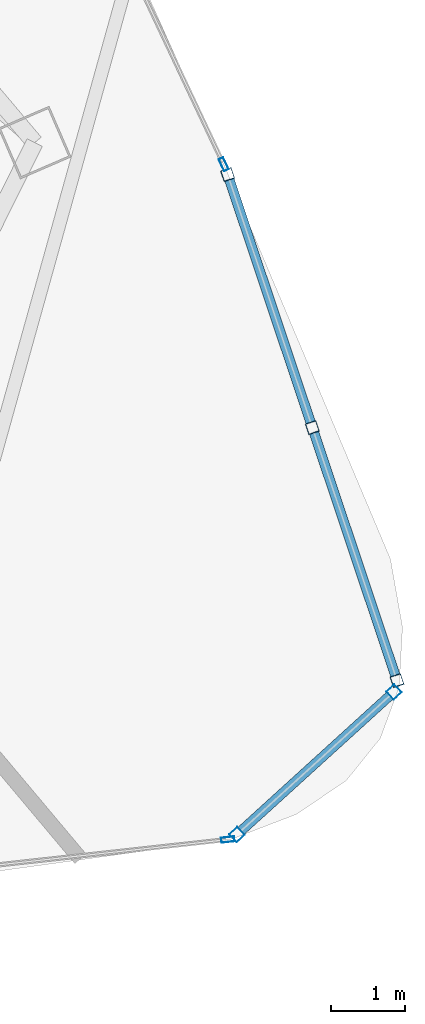
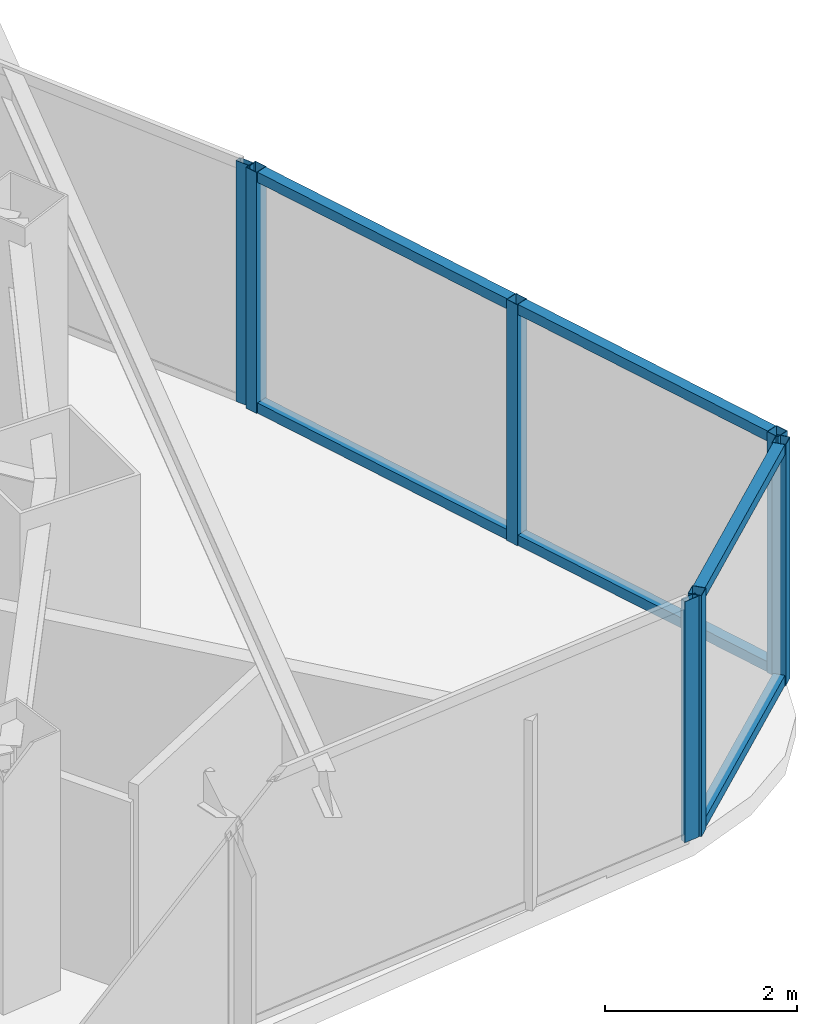
# One storey, part 15 of 31: 13 members, 4 elements without a shape of their own.
"""IFC4 building model written with IfcOpenShell, lengths in metres."""

from ifc_helpers import new_model, si_unit, direction, frame, origin, origin_2d, place, context, subcontext, project, spatial, hollow_rectangle, extrude, material, layer, layer_set, material_profile, profile_set, type_object, element, aggregate, save


model = new_model("IFC4")

# Units and contexts
model_context = context("Model", 3, precision=1e-05, world=origin(), true_north=direction((0.0, 1.0)))
body_context = subcontext(model_context, "Body", "Model", "MODEL_VIEW")
ifc_project = project(units=[si_unit("LENGTHUNIT", "METRE"), si_unit("AREAUNIT", "SQUARE_METRE"), si_unit("VOLUMEUNIT", "CUBIC_METRE"), si_unit("PLANEANGLEUNIT", "RADIAN"), si_unit("MASSUNIT", "GRAM", prefix="KILO")], contexts=[model_context])

# Site, building, storey
site_placement = place(None, origin())
site = spatial("IfcSite", under=ifc_project, at=site_placement, CompositionType="ELEMENT")
building_placement = place(site_placement, origin())
building = spatial("IfcBuilding", under=site, at=building_placement, Name="Orvanel Arch Residences", CompositionType="ELEMENT")
storey_placement = place(building_placement, frame((0.0, 0.0, 133.10009765625)))
storey = spatial("IfcBuildingStorey", under=building, at=storey_placement, Name="L37", CompositionType="ELEMENT", Elevation=133.10009765625)

# Curtain wall, members
ifc_material = material(Name="Bronze-anodised aluminium AA6063-T6", Category="aluminium")
ifc_layer_1 = layer(ifc_material, 0.18994140625)
ifc_layer_set_1 = layer_set([ifc_layer_1], Name="Bronze-anodised aluminium AA6063-T6")
curtain_wall_type_1 = type_object("IfcCurtainWallType", Name="CW5-CRN-SYS", PredefinedType="NOTDEFINED", material=ifc_layer_set_1)
curtain_wall_1_placement = place(storey_placement, origin())
curtain_wall_1 = element("IfcCurtainWall", 1, at=curtain_wall_1_placement, inside=storey, type_object=curtain_wall_type_1, Name="L37 CW5-CRN-SYS Unitised Curtain Wall", PredefinedType="NOTDEFINED")
ifc_material_profile_1 = material_profile(ifc_material, hollow_rectangle(XDim=0.14990234375, YDim=0.14990234375, WallThickness=0.0048828125, at=origin_2d()), Name="ALU150x150x5")
ifc_profile_set_1 = profile_set([ifc_material_profile_1], Name="Bronze-anodised aluminium AA6063-T6")
member_type_1 = type_object("IfcMemberType", Name="MUL-150x150", PredefinedType="MULLION", material=ifc_profile_set_1)
member_1_placement = place(storey_placement, frame((56.6494140625, 5.198486328125, 0.0), z_axis=(0.0, 0.0, 1.0), x_axis=(-0.672409480271, 0.740179363966, 0.0)))
member_1 = element("IfcMember", 2, at=member_1_placement, type_object=member_type_1, Name="CW-S5 mullion 1", PredefinedType="MULLION", context=body_context, shape_type="SweptSolid", body=[
    extrude(hollow_rectangle(XDim=0.14990234375, YDim=0.14990234375, WallThickness=0.0048828125, at=origin_2d()), origin(), (0.0, 0.0, 1.0), 3.059814453125),
])
member_2_placement = place(storey_placement, frame((58.777587890625, 7.131591796875, 0.0), z_axis=(0.0, 0.0, 1.0), x_axis=(-0.672409480271, 0.740179363966, 0.0)))
member_2 = element("IfcMember", 3, at=member_2_placement, type_object=member_type_1, Name="CW-S5 mullion 2", PredefinedType="MULLION", context=body_context, shape_type="SweptSolid", body=[
    extrude(hollow_rectangle(XDim=0.14990234375, YDim=0.14990234375, WallThickness=0.0048828125, at=origin_2d()), origin(), (0.0, 0.0, 1.0), 3.059814453125),
])

curtain_wall_2_placement = place(storey_placement, origin())
curtain_wall_2 = element("IfcCurtainWall", 4, at=curtain_wall_2_placement, inside=storey, type_object=curtain_wall_type_1, Name="L37 CW5-CRN-SYS Unitised Curtain Wall", PredefinedType="NOTDEFINED")
member_3_placement = place(storey_placement, frame((58.818115234375, 7.28515625, 0.0), z_axis=(0.0, 0.0, 1.0), x_axis=(-0.94830351155, -0.317364853099, 0.0)))
member_3 = element("IfcMember", 5, at=member_3_placement, type_object=member_type_1, Name="CW-S5 mullion 1", PredefinedType="MULLION", context=body_context, shape_type="SweptSolid", body=[
    extrude(hollow_rectangle(XDim=0.14990234375, YDim=0.14990234375, WallThickness=0.0048828125, at=origin_2d()), origin(), (0.0, 0.0, 1.0), 3.059814453125),
])
member_4_placement = place(storey_placement, frame((57.669921875, 10.716064453125, 0.0), z_axis=(0.0, 0.0, 1.0), x_axis=(-0.94830351155, -0.317364853099, 0.0)))
member_4 = element("IfcMember", 6, at=member_4_placement, type_object=member_type_1, Name="CW-S5 mullion 2", PredefinedType="MULLION", context=body_context, shape_type="SweptSolid", body=[
    extrude(hollow_rectangle(XDim=0.14990234375, YDim=0.14990234375, WallThickness=0.0048828125, at=origin_2d()), origin(), (0.0, 0.0, 1.0), 3.059814453125),
])
member_5_placement = place(storey_placement, frame((56.521728515625, 14.14697265625, 0.0), z_axis=(0.0, 0.0, 1.0), x_axis=(-0.94830351155, -0.317364853099, 0.0)))
member_5 = element("IfcMember", 7, at=member_5_placement, type_object=member_type_1, Name="CW-S5 mullion 3", PredefinedType="MULLION", context=body_context, shape_type="SweptSolid", body=[
    extrude(hollow_rectangle(XDim=0.14990234375, YDim=0.14990234375, WallThickness=0.0048828125, at=origin_2d()), origin(), (0.0, 0.0, 1.0), 3.059814453125),
])

# Curtain wall, member
ifc_layer_2 = layer(ifc_material, 0.179931640625)
ifc_layer_set_2 = layer_set([ifc_layer_2], Name="Bronze-anodised aluminium AA6063-T6")
curtain_wall_type_2 = type_object("IfcCurtainWallType", Name="CW3-MID-SYS", PredefinedType="NOTDEFINED", material=ifc_layer_set_2)
curtain_wall_3_placement = place(storey_placement, origin())
curtain_wall_3 = element("IfcCurtainWall", 8, at=curtain_wall_3_placement, inside=storey, type_object=curtain_wall_type_2, Name="L37 CW3-MID-SYS Unitised Curtain Wall", PredefinedType="NOTDEFINED")
ifc_material_profile_2 = material_profile(ifc_material, hollow_rectangle(XDim=0.070068359375, YDim=0.179931640625, WallThickness=0.00439453125, at=origin_2d()), Name="ALU180x70x4.5")
ifc_profile_set_2 = profile_set([ifc_material_profile_2], Name="Bronze-anodised aluminium AA6063-T6")
member_type_2 = type_object("IfcMemberType", Name="MUL-180x70", PredefinedType="MULLION", material=ifc_profile_set_2)
member_6_placement = place(storey_placement, frame((56.524169921875, 5.129150390625, 0.0), z_axis=(0.0, 0.0, 1.0), x_axis=(-0.109627687319, 0.993972721041, 0.0)))
member_6 = element("IfcMember", 9, at=member_6_placement, type_object=member_type_2, Name="CW-S3 mullion 4", PredefinedType="MULLION", context=body_context, shape_type="SweptSolid", body=[
    extrude(hollow_rectangle(XDim=0.070068359375, YDim=0.179931640625, WallThickness=0.00439453125, at=origin_2d()), origin(), (0.0, 0.0, 1.0), 3.059814453125),
])
aggregate(curtain_wall_3, [member_6])

curtain_wall_4_placement = place(storey_placement, origin())
curtain_wall_4 = element("IfcCurtainWall", 10, at=curtain_wall_4_placement, inside=storey, type_object=curtain_wall_type_2, Name="L37 CW3-MID-SYS Unitised Curtain Wall", PredefinedType="NOTDEFINED")
member_7_placement = place(storey_placement, frame((56.468017578125, 14.28662109375, 0.0), z_axis=(0.0, 0.0, 1.0), x_axis=(-0.904626023981, -0.426206237326, 0.0)))
member_7 = element("IfcMember", 11, at=member_7_placement, type_object=member_type_2, Name="CW-S3 mullion 1", PredefinedType="MULLION", context=body_context, shape_type="SweptSolid", body=[
    extrude(hollow_rectangle(XDim=0.070068359375, YDim=0.179931640625, WallThickness=0.00439453125, at=origin_2d()), origin(), (0.0, 0.0, 1.0), 3.059814453125),
])
aggregate(curtain_wall_4, [member_7])

# Member
ifc_material_profile_3 = material_profile(ifc_material, hollow_rectangle(XDim=0.1298828125, YDim=0.1298828125, WallThickness=0.00439453125, at=origin_2d()), Name="ALU130x130x4.5")
ifc_profile_set_3 = profile_set([ifc_material_profile_3], Name="Bronze-anodised aluminium AA6063-T6")
member_type_3 = type_object("IfcMemberType", Name="TRN-130x130", PredefinedType="USERDEFINED", material=ifc_profile_set_3)
member_8_placement = place(storey_placement, frame((56.705078125, 5.248779296875, 0.06494140625), z_axis=(0.740163012364, 0.672427479457, 0.0), x_axis=(-0.672427479457, 0.740163012364, 0.0)))
member_8 = element("IfcMember", 12, at=member_8_placement, type_object=member_type_3, Name="CW-S5 transom 1.1", ObjectType="TRANSOM", PredefinedType="USERDEFINED", context=body_context, shape_type="SweptSolid", body=[
    extrude(hollow_rectangle(XDim=0.1298828125, YDim=0.1298828125, WallThickness=0.00439453125, at=origin_2d()), origin(), (0.0, 0.0, 1.0), 2.724853515625),
])

member_9_placement = place(storey_placement, frame((56.705078125, 5.248779296875, 2.994873046875), z_axis=(0.740163012364, 0.672427479457, 0.0), x_axis=(-0.672427479457, 0.740163012364, 0.0)))
member_9 = element("IfcMember", 13, at=member_9_placement, type_object=member_type_3, Name="CW-S5 transom 1.2", ObjectType="TRANSOM", PredefinedType="USERDEFINED", context=body_context, shape_type="SweptSolid", body=[
    extrude(hollow_rectangle(XDim=0.1298828125, YDim=0.1298828125, WallThickness=0.00439453125, at=origin_2d()), origin(), (0.0, 0.0, 1.0), 2.724853515625),
])

aggregate(curtain_wall_1, [member_1, member_2, member_8, member_9])

member_10_placement = place(storey_placement, frame((58.79443359375, 7.356201171875, 0.06494140625), z_axis=(-0.317368034876, 0.948302446712, 0.0), x_axis=(-0.948302446712, -0.317368034876, 0.0)))
member_10 = element("IfcMember", 14, at=member_10_placement, type_object=member_type_3, Name="CW-S5 transom 1.1", ObjectType="TRANSOM", PredefinedType="USERDEFINED", context=body_context, shape_type="SweptSolid", body=[
    extrude(hollow_rectangle(XDim=0.1298828125, YDim=0.1298828125, WallThickness=0.00439453125, at=origin_2d()), origin(), (0.0, 0.0, 1.0), 3.4677734375),
])

member_11_placement = place(storey_placement, frame((58.79443359375, 7.356201171875, 2.994873046875), z_axis=(-0.317368034876, 0.948302446712, 0.0), x_axis=(-0.948302446712, -0.317368034876, 0.0)))
member_11 = element("IfcMember", 15, at=member_11_placement, type_object=member_type_3, Name="CW-S5 transom 1.2", ObjectType="TRANSOM", PredefinedType="USERDEFINED", context=body_context, shape_type="SweptSolid", body=[
    extrude(hollow_rectangle(XDim=0.1298828125, YDim=0.1298828125, WallThickness=0.00439453125, at=origin_2d()), origin(), (0.0, 0.0, 1.0), 3.4677734375),
])

member_12_placement = place(storey_placement, frame((57.646240234375, 10.787109375, 0.06494140625), z_axis=(-0.317368034876, 0.948302446712, 0.0), x_axis=(-0.948302446712, -0.317368034876, 0.0)))
member_12 = element("IfcMember", 16, at=member_12_placement, type_object=member_type_3, Name="CW-S5 transom 2.1", ObjectType="TRANSOM", PredefinedType="USERDEFINED", context=body_context, shape_type="SweptSolid", body=[
    extrude(hollow_rectangle(XDim=0.1298828125, YDim=0.1298828125, WallThickness=0.00439453125, at=origin_2d()), origin(), (0.0, 0.0, 1.0), 3.4677734375),
])

member_13_placement = place(storey_placement, frame((57.646240234375, 10.787109375, 2.994873046875), z_axis=(-0.317368034876, 0.948302446712, 0.0), x_axis=(-0.948302446712, -0.317368034876, 0.0)))
member_13 = element("IfcMember", 17, at=member_13_placement, type_object=member_type_3, Name="CW-S5 transom 2.2", ObjectType="TRANSOM", PredefinedType="USERDEFINED", context=body_context, shape_type="SweptSolid", body=[
    extrude(hollow_rectangle(XDim=0.1298828125, YDim=0.1298828125, WallThickness=0.00439453125, at=origin_2d()), origin(), (0.0, 0.0, 1.0), 3.4677734375),
])

aggregate(curtain_wall_2, [member_3, member_4, member_5, member_10, member_11, member_12, member_13])

save(model, "model.ifc")
